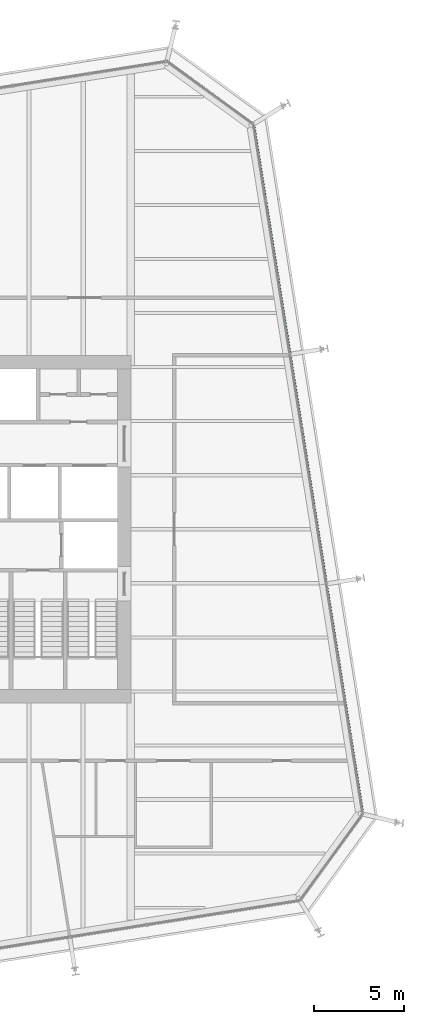
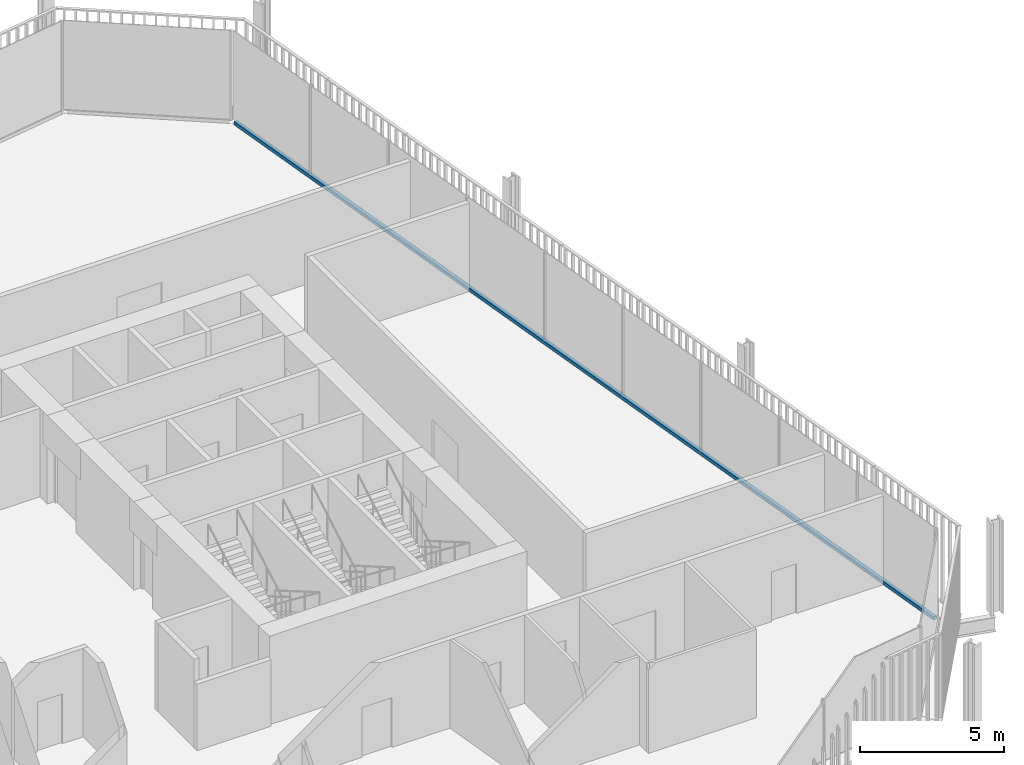
# One storey, part 14 of 21: 1 member, 1 element without a shape of its own.
"""IFC4 building model written with IfcOpenShell, lengths in metres."""

from ifc_helpers import new_model, si_unit, direction, frame, origin, origin_2d, place, context, subcontext, project, spatial, rectangle, extrude, material, layer, layer_set, material_profile, profile_set, type_object, element, aggregate, save


model = new_model("IFC4")

# Units and contexts
model_context = context("Model", 3, precision=1e-05, world=origin(), true_north=direction((0.0, 1.0)))
body_context = subcontext(model_context, "Body", "Model", "MODEL_VIEW")
ifc_project = project(units=[si_unit("LENGTHUNIT", "METRE"), si_unit("AREAUNIT", "SQUARE_METRE"), si_unit("VOLUMEUNIT", "CUBIC_METRE"), si_unit("PLANEANGLEUNIT", "RADIAN"), si_unit("MASSUNIT", "GRAM", prefix="KILO")], contexts=[model_context])

# Site, building, storey
site_placement = place(None, origin())
site = spatial("IfcSite", under=ifc_project, at=site_placement, CompositionType="ELEMENT")
building_placement = place(site_placement, origin())
building = spatial("IfcBuilding", under=site, at=building_placement, Name="Millrace Tower", CompositionType="ELEMENT")
storey_placement = place(building_placement, frame((0.0, 0.0, 164.60009765625)))
storey = spatial("IfcBuildingStorey", under=building, at=storey_placement, Name="L37", CompositionType="ELEMENT", Elevation=164.60009765625)

# Curtain wall, member
ifc_material_1 = material(Name="Aluminium and glass", Category="aluminium")
ifc_layer = layer(ifc_material_1, 0.14990234375)
ifc_layer_set = layer_set([ifc_layer], Name="Aluminium and glass")
curtain_wall_type = type_object("IfcCurtainWallType", Name="CW-1 office vision curtain wall", PredefinedType="NOTDEFINED", material=ifc_layer_set)
curtain_wall_placement = place(storey_placement, origin())
curtain_wall = element("IfcCurtainWall", 1, at=curtain_wall_placement, inside=storey, type_object=curtain_wall_type, Name="Curtain wall C-F04 L37", PredefinedType="NOTDEFINED")
ifc_material_2 = material(Name="Aluminium", Category="aluminium")
ifc_material_profile = material_profile(ifc_material_2, rectangle(XDim=0.14990234375, YDim=0.139892578125, at=origin_2d()))
ifc_profile_set = profile_set([ifc_material_profile], Name="Aluminium")
member_type = type_object("IfcMemberType", Name="CW-1 office vision curtain wall transom", PredefinedType="USERDEFINED", material=ifc_profile_set)
member_placement = place(storey_placement, frame((27.49609375, -15.675048828125, 0.06982421875), z_axis=(-0.156434402447, 0.987688350509, 0.0), x_axis=(-0.987688350509, -0.156434402447, 0.0)))
member = element("IfcMember", 2, at=member_placement, type_object=member_type, Name="CW1 transom C-F04.1", ObjectType="TRANSOM", PredefinedType="USERDEFINED", context=body_context, shape_type="SweptSolid", body=[
    extrude(rectangle(XDim=0.14990234375, YDim=0.139892578125, at=origin_2d()), origin(), (0.0, 0.0, 1.0), 38.499755859375),
])
aggregate(curtain_wall, [member])

save(model, "model.ifc")
